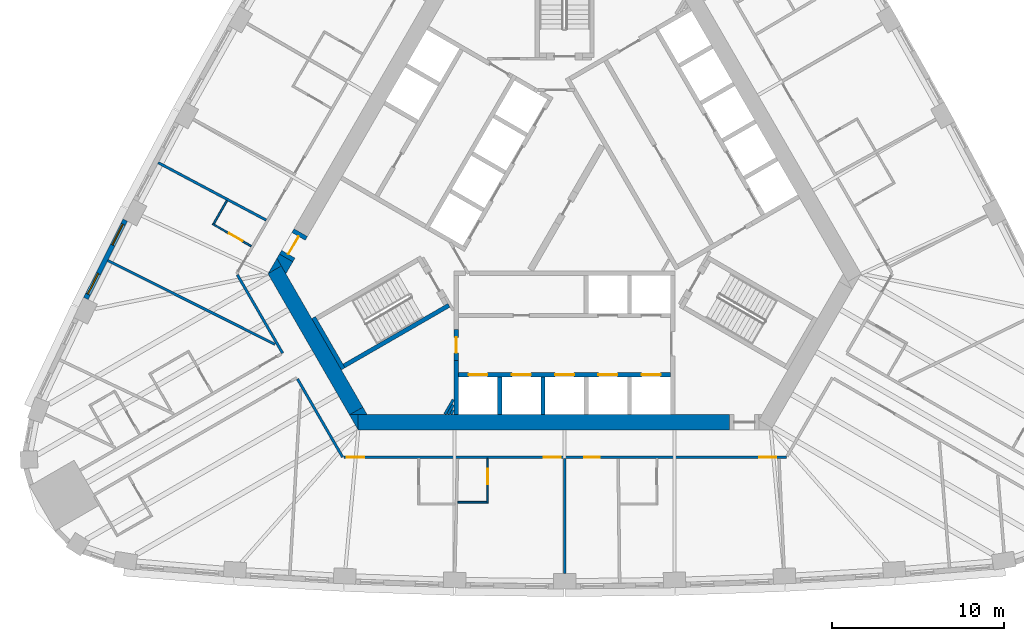
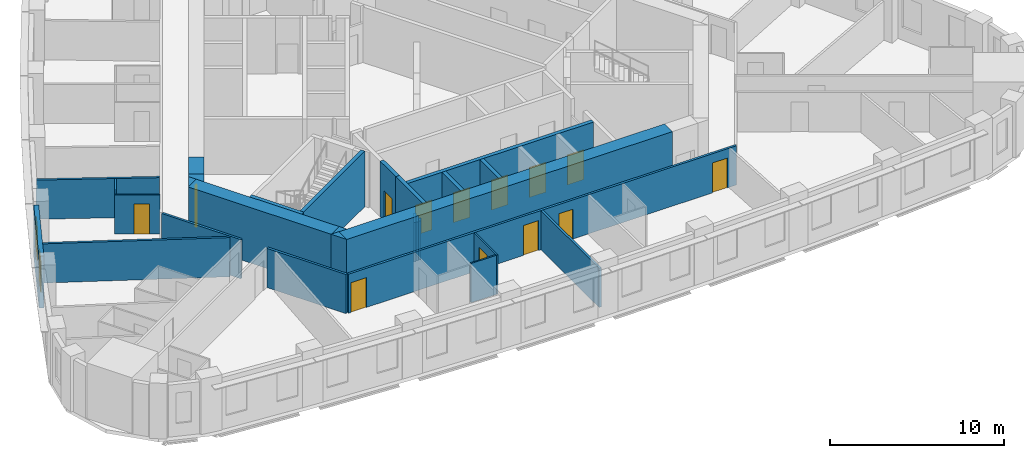
# One storey, part 4 of 12: 28 walls, 13 doors, 2 windows, 15 openings.
"""IFC4 building model written with IfcOpenShell, lengths in metres."""

import ifcopenshell
import ifcopenshell.guid

model = None  # the IFC model being written
_history = None  # IfcOwnerHistory: only IFC2X3 demands one
_inside = {}  # id of a spatial element -> (the spatial element, [elements in it])
_under = {}  # id of a project, library or spatial element -> (it, [spatial elements below it])
_declared = {}  # id of a project -> (the project, [libraries it declares])
_typed = {}  # id of a type object -> (the type object, [elements of that type])
_made_of = {}  # id of a material, layer set ... -> (it, [elements and type objects made of it])


def new_model(schema):
    """Start an empty IFC model of exactly this schema.

    Asked for "IFC4X3", IfcOpenShell would pick the latest addendum, in which some entities
    have other attributes; the version numbers below select the first issue.
    IFC2X3 requires an IfcOwnerHistory on every rooted entity: one is made here for all.
    """
    global model, _history
    if schema == "IFC4X3":
        model = ifcopenshell.file(schema_version=(4, 3, 0, 0))
    else:
        model = ifcopenshell.file(schema=schema)
    _inside.clear()
    _under.clear()
    _declared.clear()
    _typed.clear()
    _made_of.clear()
    _history = None
    if model.schema == "IFC2X3":
        org = make("IfcOrganization", Name="unknown")
        user = make(
            "IfcPersonAndOrganization",
            ThePerson=make("IfcPerson", FamilyName="unknown"),
            TheOrganization=org,
        )
        app = make(
            "IfcApplication",
            ApplicationDeveloper=org,
            Version="unknown",
            ApplicationFullName="unknown",
            ApplicationIdentifier="unknown",
        )
        _history = make(
            "IfcOwnerHistory",
            OwningUser=user,
            OwningApplication=app,
            ChangeAction="ADDED",
            CreationDate=0,
        )
    return model


def make(cls, **values):
    """One entity of the class cls with the attributes given. An attribute that is None is left unset."""
    return model.create_entity(
        cls, **{name: value for name, value in values.items() if value is not None}
    )


def rooted(cls, **values):
    """An entity with a GlobalId (a new one), such as an element, a storey or a relation."""
    return make(cls, GlobalId=ifcopenshell.guid.new(), OwnerHistory=_history, **values)


def si_unit(unit_type, name, prefix=None):
    """IfcSIUnit, for example si_unit("LENGTHUNIT", "METRE", prefix="MILLI")."""
    return make("IfcSIUnit", UnitType=unit_type, Prefix=prefix, Name=name)


def assignment(units):
    """IfcUnitAssignment: the units of a project."""
    return None if units is None else make("IfcUnitAssignment", Units=units)


def point(xyz):
    """IfcCartesianPoint."""
    return None if xyz is None else make("IfcCartesianPoint", Coordinates=xyz)


def direction(xyz):
    """IfcDirection."""
    return None if xyz is None else make("IfcDirection", DirectionRatios=xyz)


def frame(location, z_axis=None, x_axis=None):
    """IfcAxis2Placement3D, a coordinate frame: its origin and axes. An axis left out is left unset."""
    return make(
        "IfcAxis2Placement3D",
        Location=point(location),
        Axis=direction(z_axis),
        RefDirection=direction(x_axis),
    )


def frame_2d(location, x_axis=None):
    """IfcAxis2Placement2D, a coordinate frame in the plane: its origin and x axis."""
    return make(
        "IfcAxis2Placement2D", Location=point(location), RefDirection=direction(x_axis)
    )


def origin():
    """The frame at (0, 0, 0) with its axes left unset."""
    return frame((0.0, 0.0, 0.0))


def place(relative_to, where):
    """IfcLocalPlacement: puts the frame where relative to a parent placement (None: the world)."""
    return make(
        "IfcLocalPlacement", PlacementRelTo=relative_to, RelativePlacement=where
    )


def context(
    kind, dimensions, precision=None, world=None, true_north=None, identifier=None
):
    """IfcGeometricRepresentationContext, for example the 3D "Model" context."""
    return make(
        "IfcGeometricRepresentationContext",
        ContextIdentifier=identifier,
        ContextType=kind,
        CoordinateSpaceDimension=dimensions,
        Precision=precision,
        WorldCoordinateSystem=world,
        TrueNorth=true_north,
    )


def subcontext(parent, identifier, kind, view, scale=None):
    """IfcGeometricRepresentationSubContext, for example "Body" below "Model"."""
    return make(
        "IfcGeometricRepresentationSubContext",
        ContextIdentifier=identifier,
        ContextType=kind,
        ParentContext=parent,
        TargetScale=scale,
        TargetView=view,
    )


def project(units=None, contexts=None):
    """IfcProject with its units and contexts."""
    return rooted(
        "IfcProject",
        Name="project",
        RepresentationContexts=contexts,
        UnitsInContext=assignment(units),
    )


def spatial(cls, under=None, at=None, **own):
    """A site, building, storey or space (cls), placed at a placement, below another one or the project."""
    s = rooted(cls, ObjectPlacement=at, **own)
    if under is not None:
        _under.setdefault(under.id(), (under, []))[1].append(s)
    return s


def polyline(points):
    """IfcPolyline through the points."""
    return make("IfcPolyline", Points=[point(p) for p in points])


def profile(cls, at=None, kind="AREA", **sizes):
    """A parametric profile (cls). Its sizes go by their IFC names, for example OverallWidth=200.0."""
    return make(cls, ProfileType=kind, Position=at, **sizes)


def rectangle(**sizes):
    """IfcRectangleProfileDef."""
    return profile("IfcRectangleProfileDef", **sizes)


def outline(outer, holes=None, kind="AREA"):
    """IfcArbitraryClosedProfileDef: a profile drawn as a closed curve; with holes, ...WithVoids."""
    if holes is None:
        return make("IfcArbitraryClosedProfileDef", ProfileType=kind, OuterCurve=outer)
    return make(
        "IfcArbitraryProfileDefWithVoids",
        ProfileType=kind,
        OuterCurve=outer,
        InnerCurves=holes,
    )


def extrude(swept, where, along, depth):
    """IfcExtrudedAreaSolid: the profile swept, set in the frame where, extruded along a direction by depth."""
    return make(
        "IfcExtrudedAreaSolid",
        SweptArea=swept,
        Position=where,
        ExtrudedDirection=direction(along),
        Depth=depth,
    )


def shape(context_of_items, identifier, shape_type, items):
    """IfcShapeRepresentation: the items that make up one representation, for example the "Body"."""
    return make(
        "IfcShapeRepresentation",
        ContextOfItems=context_of_items,
        RepresentationIdentifier=identifier,
        RepresentationType=shape_type,
        Items=items,
    )


def material(Name=None, Category=None):
    """IfcMaterial."""
    return make("IfcMaterial", Name=Name, Category=Category)


def layer(
    of_material, thickness, ventilated=None, Name=None, Category=None, Priority=None
):
    """IfcMaterialLayer: one layer of a wall or slab, of a material (None: an air gap)."""
    return make(
        "IfcMaterialLayer",
        Material=of_material,
        LayerThickness=thickness,
        IsVentilated=ventilated,
        Name=Name,
        Category=Category,
        Priority=Priority,
    )


def layer_set(layers, Name=None):
    """IfcMaterialLayerSet."""
    return make("IfcMaterialLayerSet", MaterialLayers=layers, LayerSetName=Name)


def made_of(thing, what):
    """Note that an element or type object is made of a material, layer set ...; save() writes the relation."""
    if what is not None:
        _made_of.setdefault(what.id(), (what, []))[1].append(thing)
    return thing


def type_object(cls, material=None, **own):
    """A type object (cls), such as IfcWallType, which elements share."""
    return made_of(rooted(cls, **own), material)


def element(
    cls,
    number,
    at=None,
    inside=None,
    cuts=None,
    type_object=None,
    material=None,
    context=None,
    identifier="Body",
    shape_type=None,
    held_by="IfcProductDefinitionShape",
    body=None,
    shapes=None,
    **own,
):
    """One element of the class cls, such as IfcWall. Its Tag is "e" and its number.

    at: its placement. inside: the storey or other place that contains it. cuts: it is an
    opening in that element (IfcRelVoidsElement). A single representation is given by context,
    identifier, shape_type and body (its items); several are given by shapes. held_by: the class
    of the entity that holds the representations. save() writes the other relations.
    """
    e = rooted(cls, Tag="e%d" % number, ObjectPlacement=at, **own)
    if body is not None:
        shapes = [shape(context, identifier, shape_type, body)]
    if shapes is not None:
        e.Representation = make(held_by, Representations=shapes)
    if inside is not None:
        _inside.setdefault(inside.id(), (inside, []))[1].append(e)
    if cuts is not None:
        rooted(
            "IfcRelVoidsElement", RelatingBuildingElement=cuts, RelatedOpeningElement=e
        )
    if type_object is not None:
        _typed.setdefault(type_object.id(), (type_object, []))[1].append(e)
    return made_of(e, material)


def fill(opening, filler):
    """IfcRelFillsElement: the door or window that sits in an opening."""
    return rooted(
        "IfcRelFillsElement",
        RelatingOpeningElement=opening,
        RelatedBuildingElement=filler,
    )


def aggregate(whole, parts):
    """IfcRelAggregates: a whole, such as a stair, and the parts it consists of."""
    return rooted("IfcRelAggregates", RelatingObject=whole, RelatedObjects=parts)


def save(model, path):
    """Write the relations noted so far, then the file.

    IfcRelAggregates (storeys below a building ...), IfcRelContainedInSpatialStructure (elements
    in a storey), IfcRelDefinesByType, IfcRelAssociatesMaterial and IfcRelDeclares: one each for
    every whole, place, type object, material and project.
    """
    for whole, parts in _under.values():
        aggregate(whole, parts)
    for where, things in _inside.values():
        rooted(
            "IfcRelContainedInSpatialStructure",
            RelatedElements=things,
            RelatingStructure=where,
        )
    for kind, things in _typed.values():
        rooted("IfcRelDefinesByType", RelatedObjects=things, RelatingType=kind)
    for what, things in _made_of.values():
        rooted("IfcRelAssociatesMaterial", RelatedObjects=things, RelatingMaterial=what)
    for by, libraries in _declared.values():
        rooted("IfcRelDeclares", RelatingContext=by, RelatedDefinitions=libraries)
    model.write(path)


model = new_model("IFC4")

# Units and contexts
model_context = context("Model", 3, precision=1e-05, world=origin(), true_north=direction((0.0, 1.0)))
body_context = subcontext(model_context, "Body", "Model", "MODEL_VIEW")
ifc_project = project(units=[si_unit("LENGTHUNIT", "METRE"), si_unit("AREAUNIT", "SQUARE_METRE"), si_unit("VOLUMEUNIT", "CUBIC_METRE"), si_unit("PLANEANGLEUNIT", "RADIAN"), si_unit("MASSUNIT", "GRAM", prefix="KILO")], contexts=[model_context])

# Site, building, storey
site_placement = place(None, origin())
site = spatial("IfcSite", under=ifc_project, at=site_placement, CompositionType="ELEMENT")
building_placement = place(site_placement, origin())
building = spatial("IfcBuilding", under=site, at=building_placement, Name="Mestral Congress Tower", CompositionType="ELEMENT")
storey_placement = place(building_placement, frame((0.0, 0.0, 107.10009765625)))
storey = spatial("IfcBuildingStorey", under=building, at=storey_placement, Name="L25", CompositionType="ELEMENT", Elevation=107.10009765625)

# Walls
ifc_material_1 = material(Name="Fire-rated board partition")
ifc_layer_1 = layer(ifc_material_1, 0.14990234375)
ifc_layer_set_1 = layer_set([ifc_layer_1], Name="Fire-rated board partition")
wall_type_1 = type_object("IfcWallType", Name="Core partition 150", PredefinedType="PARTITIONING", material=ifc_layer_set_1)
wall_1_placement = place(storey_placement, frame((-6.967529296875, -12.068115234375, 0.0), z_axis=(0.0, 0.0, 1.0), x_axis=(0.49998975084, 0.866031321059, 0.0)))
element("IfcWall", 1, at=wall_1_placement, inside=storey, type_object=wall_type_1, Name="L25 core wall", PredefinedType="PARTITIONING", context=body_context, shape_type="SweptSolid", body=[
    extrude(rectangle(XDim=0.97509765625, YDim=0.14990234375, at=frame_2d((0.487548828125, 0.0))), origin(), (0.0, 0.0, 1.0), 2.75),
])
wall_2_placement = place(storey_placement, frame((-6.794189453125, -12.068115234375, 0.0), z_axis=(0.0, 0.0, 1.0), x_axis=(0.49985693963, 0.866107983974, 0.0)))
element("IfcWall", 2, at=wall_2_placement, inside=storey, type_object=wall_type_1, Name="L25 core wall", PredefinedType="PARTITIONING", context=body_context, shape_type="SweptSolid", body=[
    extrude(rectangle(XDim=0.628662109375, YDim=0.14990234375, at=frame_2d((0.314453125, 0.0))), origin(), (0.0, 0.0, 1.0), 2.75),
])
wall_3_placement = place(storey_placement, frame((-6.62109375, -12.068115234375, 0.0), z_axis=(0.0, 0.0, 1.0), x_axis=(0.500046963369, 0.865998287773, 0.0)))
element("IfcWall", 3, at=wall_3_placement, inside=storey, type_object=wall_type_1, Name="L25 core wall", PredefinedType="PARTITIONING", context=body_context, shape_type="SweptSolid", body=[
    extrude(rectangle(XDim=0.2822265625, YDim=0.14990234375, at=frame_2d((0.14111328125, 0.0))), origin(), (0.0, 0.0, 1.0), 2.75),
])
ifc_material_2 = material(Name="Concrete C60/75", Category="concrete")
ifc_layer_2 = layer(ifc_material_2, 0.89990234375)
ifc_layer_set_2 = layer_set([ifc_layer_2], Name="Concrete C60/75")
wall_type_2 = type_object("IfcWallType", Name="Core wall RC 900", PredefinedType="SOLIDWALL", material=ifc_layer_set_2)
wall_4_placement = place(storey_placement, frame((-12.0185546875, -12.550048828125, 0.0), z_axis=(0.0, 0.0, 1.0), x_axis=(1.0, 0.0, 0.0)))
element("IfcWall", 4, at=wall_4_placement, inside=storey, type_object=wall_type_2, Name="L25 core wall", PredefinedType="SOLIDWALL", context=body_context, shape_type="SweptSolid", body=[
    extrude(rectangle(XDim=21.63037109375, YDim=0.89990234375, at=frame_2d((10.815185546875, 0.0))), origin(), (0.0, 0.0, 1.0), 3.89990234375),
])
placement = place(storey_placement, origin())
element("IfcWall", 5, at=placement, inside=storey, type_object=wall_type_2, Name="L25 core wall", PredefinedType="SOLIDWALL", context=body_context, shape_type="SweptSolid", body=[
    extrude(outline(polyline([(-12.528564453125, -12.10009765625), (-12.0205078125, -12.10009765625), (-12.0205078125, -12.97998046875), (-12.528564453125, -12.10009765625)])), origin(), (0.0, 0.0, 1.0), 3.89990234375),
])
wall_6_placement = place(storey_placement, frame((-12.134033203125, -11.88330078125, 0.0), z_axis=(0.0, 0.0, 1.0), x_axis=(-0.500005339912, 0.866022320763, 0.0)))
element("IfcWall", 6, at=wall_6_placement, inside=storey, type_object=wall_type_2, Name="L25 core wall", PredefinedType="SOLIDWALL", context=body_context, shape_type="SweptSolid", body=[
    extrude(rectangle(XDim=9.48779296875, YDim=0.89990234375, at=frame_2d((4.743896484375, 0.0))), origin(), (0.0, 0.0, 1.0), 3.89990234375),
])
element("IfcWall", 7, at=placement, inside=storey, type_object=wall_type_2, Name="L25 core wall", PredefinedType="SOLIDWALL", context=body_context, shape_type="SweptSolid", body=[
    extrude(outline(polyline([(-16.4892578125, -3.43994140625), (-17.251220703125, -3.8798828125), (-16.7431640625, -3.0), (-16.4892578125, -3.43994140625)])), origin(), (0.0, 0.0, 1.0), 3.89990234375),
])
element("IfcWall", 8, at=placement, inside=storey, type_object=wall_type_2, Name="L25 core wall", PredefinedType="SOLIDWALL", context=body_context, shape_type="SweptSolid", body=[
    extrude(outline(polyline([(-11.4892578125, -12.10009765625), (-12.50537109375, -12.10009765625), (-11.743408203125, -11.66015625), (-11.4892578125, -12.10009765625)])), origin(), (0.0, 0.0, 1.0), 3.89990234375),
])
element("IfcWall", 9, at=placement, inside=storey, type_object=wall_type_2, Name="L25 core wall", PredefinedType="SOLIDWALL", context=body_context, shape_type="SweptSolid", body=[
    extrude(outline(polyline([(-15.81982421875, -3.20068359375), (-16.223388671875, -3.89990234375), (-16.7431640625, -3.0), (-16.599365234375, -2.750732421875), (-15.81982421875, -3.20068359375)])), origin(), (0.0, 0.0, 1.0), 3.89990234375),
])

# Wall, opening, door
wall_10_placement = place(storey_placement, frame((-16.20947265625, -2.9755859375, 0.0), z_axis=(0.0, 0.0, 1.0), x_axis=(0.499954529098, 0.86605165483, 0.0)))
wall_10 = element("IfcWall", 10, at=wall_10_placement, inside=storey, type_object=wall_type_2, Name="L25 door wall", PredefinedType="SOLIDWALL", context=body_context, shape_type="SweptSolid", body=[
    extrude(rectangle(XDim=1.699951171875, YDim=0.89990234375, at=frame_2d((0.85009765625, 0.0))), origin(), (0.0, 0.0, 1.0), 3.89990234375),
])
opening_1_placement = place(wall_10_placement, frame((0.25, 0.0, 0.0)))
opening_1 = element("IfcOpeningElement", 11, at=opening_1_placement, cuts=wall_10, Name="Opening XD3", PredefinedType="OPENING", context=body_context, shape_type="SweptSolid", body=[
    extrude(rectangle(XDim=1.199951171875, YDim=2.10009765625, at=frame_2d((0.60009765625, 1.050048828125))), frame((0.0, 0.4599609375, 0.0), z_axis=(0.0, -1.0, 0.0), x_axis=(1.0, 0.0, 0.0)), (0.0, 0.0, 1.0), 0.919921875),
])
ifc_material_3 = material(Name="Fire-rated steel door set", Category="steel")
door_type_1 = type_object("IfcDoorType", Name="Core door XD 1200x2100", OperationType="SINGLE_SWING_LEFT", PredefinedType="DOOR", material=ifc_material_3)
door_1_placement = place(opening_1_placement, origin())
door_1 = element("IfcDoor", 12, at=door_1_placement, inside=storey, type_object=door_type_1, Name="Door XD3", OperationType="SINGLE_SWING_LEFT", OverallHeight=2.10009765625, OverallWidth=1.199951171875, PredefinedType="DOOR", context=body_context, shape_type="SweptSolid", body=[
    extrude(rectangle(XDim=1.199951171875, YDim=2.10009765625, at=frame_2d((0.60009765625, 1.050048828125))), frame((0.0, 0.02490234375, 0.0), z_axis=(0.0, -1.0, 0.0), x_axis=(1.0, 0.0, 0.0)), (0.0, 0.0, 1.0), 0.050048828125),
])
fill(opening_1, door_1)

# Wall, openings, windows
ifc_material_4 = material(Name="Precast concrete C40/50 with limestone facing", Category="masonry")
ifc_layer_3 = layer(ifc_material_4, 0.2900390625)
ifc_layer_set_3 = layer_set([ifc_layer_3], Name="Precast concrete C40/50 with limestone facing")
wall_type_3 = type_object("IfcWallType", Name="Facade stone wall 290", PredefinedType="SOLIDWALL", material=ifc_layer_set_3)
wall_11_placement = place(storey_placement, frame((-25.576416015625, -0.77783203125, 0.0), z_axis=(0.0, 0.0, 1.0), x_axis=(-0.448534297211, -0.893765620409, 0.0)))
wall_11 = element("IfcWall", 13, at=wall_11_placement, inside=storey, type_object=wall_type_3, Name="Facade wall F2-06", PredefinedType="SOLIDWALL", context=body_context, shape_type="SweptSolid", body=[
    extrude(rectangle(XDim=5.10009765625, YDim=0.2900390625, at=frame_2d((2.550048828125, 0.0))), origin(), (0.0, 0.0, 1.0), 3.64990234375),
])
opening_2_placement = place(wall_11_placement, frame((0.2724609375, 0.0, 0.89990234375)))
opening_2 = element("IfcOpeningElement", 14, at=opening_2_placement, cuts=wall_11, Name="Opening W2", PredefinedType="OPENING", context=body_context, shape_type="SweptSolid", body=[
    extrude(rectangle(XDim=1.35009765625, YDim=2.14990234375, at=frame_2d((0.675048828125, 1.074951171875))), frame((0.0, 0.155029296875, 0.0), z_axis=(0.0, -1.0, 0.0), x_axis=(1.0, 0.0, 0.0)), (0.0, 0.0, 1.0), 0.31005859375),
])
opening_3_placement = place(wall_11_placement, frame((3.477783203125, 0.0, 0.89990234375)))
opening_3 = element("IfcOpeningElement", 15, at=opening_3_placement, cuts=wall_11, Name="Opening W2", PredefinedType="OPENING", context=body_context, shape_type="SweptSolid", body=[
    extrude(rectangle(XDim=1.35009765625, YDim=2.14990234375, at=frame_2d((0.675048828125, 1.074951171875))), frame((0.0, 0.155029296875, 0.0), z_axis=(0.0, -1.0, 0.0), x_axis=(1.0, 0.0, 0.0)), (0.0, 0.0, 1.0), 0.31005859375),
])
ifc_material_5 = material(Name="Clear low-emissivity double glazing", Category="glass")
window_type = type_object("IfcWindowType", Name="Facade punched window 1350 x 2150 sill 900", PartitioningType="DOUBLE_PANEL_VERTICAL", PredefinedType="WINDOW", material=ifc_material_5)
window_1_placement = place(opening_2_placement, origin())
window_1 = element("IfcWindow", 16, at=window_1_placement, inside=storey, type_object=window_type, Name="Window F2-06a", OverallHeight=2.14990234375, OverallWidth=1.35009765625, PartitioningType="DOUBLE_PANEL_VERTICAL", PredefinedType="WINDOW", context=body_context, shape_type="SweptSolid", body=[
    extrude(rectangle(XDim=1.35009765625, YDim=2.14990234375, at=frame_2d((0.675048828125, 1.074951171875))), frame((0.0, 0.01513671875, 0.0), z_axis=(0.0, -1.0, 0.0), x_axis=(1.0, 0.0, 0.0)), (0.0, 0.0, 1.0), 0.06005859375),
])
fill(opening_2, window_1)
window_2_placement = place(opening_3_placement, origin())
window_2 = element("IfcWindow", 17, at=window_2_placement, inside=storey, type_object=window_type, Name="Window F2-06b", OverallHeight=2.14990234375, OverallWidth=1.35009765625, PartitioningType="DOUBLE_PANEL_VERTICAL", PredefinedType="WINDOW", context=body_context, shape_type="SweptSolid", body=[
    extrude(rectangle(XDim=1.35009765625, YDim=2.14990234375, at=frame_2d((0.675048828125, 1.074951171875))), frame((0.0, 0.01513671875, 0.0), z_axis=(0.0, -1.0, 0.0), x_axis=(1.0, 0.0, 0.0)), (0.0, 0.0, 1.0), 0.06005859375),
])
fill(opening_3, window_2)

# Wall, opening, door
ifc_material_6 = material(Name="Gypsum board partition on metal studs with mineral wool", Category="composite")
ifc_layer_4 = layer(ifc_material_6, 0.10009765625)
ifc_layer_set_4 = layer_set([ifc_layer_4], Name="Gypsum board partition on metal studs with mineral wool")
wall_type_4 = type_object("IfcWallType", Name="Hotel partition wall 100", PredefinedType="PARTITIONING", material=ifc_layer_set_4)
wall_12_placement = place(storey_placement, frame((-4.480224609375, -17.25, 0.0), z_axis=(0.0, 0.0, 1.0), x_axis=(0.0, 1.0, 0.0)))
wall_12 = element("IfcWall", 18, at=wall_12_placement, inside=storey, type_object=wall_type_4, Name="L25-h-pod03a", PredefinedType="PARTITIONING", context=body_context, shape_type="SweptSolid", body=[
    extrude(rectangle(XDim=2.60009765625, YDim=0.10009765625, at=frame_2d((1.300048828125, 0.0))), origin(), (0.0, 0.0, 1.0), 2.75),
])
opening_4_placement = place(wall_12_placement, frame((1.10009765625, 0.0, 0.0)))
opening_4 = element("IfcOpeningElement", 19, at=opening_4_placement, cuts=wall_12, Name="Opening H08-006", PredefinedType="OPENING", context=body_context, shape_type="SweptSolid", body=[
    extrude(rectangle(XDim=0.89990234375, YDim=2.10009765625, at=frame_2d((0.449951171875, 1.050048828125))), frame((0.0, 0.06005859375, 0.0), z_axis=(0.0, -1.0, 0.0), x_axis=(1.0, 0.0, 0.0)), (0.0, 0.0, 1.0), 0.1201171875),
])
ifc_material_7 = material(Name="Timber veneer door leaf in timber frame", Category="wood")
door_type_2 = type_object("IfcDoorType", Name="Bathroom door 900", OperationType="SINGLE_SWING_LEFT", PredefinedType="DOOR", material=ifc_material_7)
door_2_placement = place(opening_4_placement, origin())
door_2 = element("IfcDoor", 20, at=door_2_placement, inside=storey, type_object=door_type_2, Name="L25-h-d006", OperationType="SINGLE_SWING_RIGHT", OverallHeight=2.10009765625, OverallWidth=0.89990234375, PredefinedType="DOOR", context=body_context, shape_type="SweptSolid", body=[
    extrude(rectangle(XDim=0.89990234375, YDim=2.10009765625, at=frame_2d((0.449951171875, 1.050048828125))), frame((0.0, 0.02490234375, 0.0), z_axis=(0.0, -1.0, 0.0), x_axis=(1.0, 0.0, 0.0)), (0.0, 0.0, 1.0), 0.050048828125),
])
fill(opening_4, door_2)

# Wall
wall_13_placement = place(storey_placement, frame((-4.5302734375, -17.199951171875, 0.0), z_axis=(0.0, 0.0, 1.0), x_axis=(-1.0, 0.0, 0.0)))
element("IfcWall", 21, at=wall_13_placement, inside=storey, type_object=wall_type_4, Name="L25-h-pod03b", PredefinedType="PARTITIONING", context=body_context, shape_type="SweptSolid", body=[
    extrude(rectangle(XDim=1.679931640625, YDim=0.10009765625, at=frame_2d((0.83984375, 0.0))), origin(), (0.0, 0.0, 1.0), 2.75),
])

# Wall, opening, door
wall_14_placement = place(storey_placement, frame((-20.492431640625, -0.994140625, 0.0), z_axis=(0.0, 0.0, 1.0), x_axis=(0.865997922154, -0.500047596559, 0.0)))
wall_14 = element("IfcWall", 22, at=wall_14_placement, inside=storey, type_object=wall_type_4, Name="L25-h-pod23a", PredefinedType="PARTITIONING", context=body_context, shape_type="SweptSolid", body=[
    extrude(rectangle(XDim=2.599853515625, YDim=0.10009765625, at=frame_2d((1.2998046875, 0.0))), origin(), (0.0, 0.0, 1.0), 2.75),
])
opening_5_placement = place(wall_14_placement, frame((1.10009765625, 0.0, 0.0)))
opening_5 = element("IfcOpeningElement", 23, at=opening_5_placement, cuts=wall_14, Name="Opening H08-041", PredefinedType="OPENING", context=body_context, shape_type="SweptSolid", body=[
    extrude(rectangle(XDim=0.89990234375, YDim=2.10009765625, at=frame_2d((0.449951171875, 1.050048828125))), frame((0.0, 0.06005859375, 0.0), z_axis=(0.0, -1.0, 0.0), x_axis=(1.0, 0.0, 0.0)), (0.0, 0.0, 1.0), 0.1201171875),
])
door_3_placement = place(opening_5_placement, origin())
door_3 = element("IfcDoor", 24, at=door_3_placement, inside=storey, type_object=door_type_2, Name="L25-h-d041", OperationType="SINGLE_SWING_LEFT", OverallHeight=2.10009765625, OverallWidth=0.89990234375, PredefinedType="DOOR", context=body_context, shape_type="SweptSolid", body=[
    extrude(rectangle(XDim=0.89990234375, YDim=2.10009765625, at=frame_2d((0.449951171875, 1.050048828125))), frame((0.0, 0.02490234375, 0.0), z_axis=(0.0, -1.0, 0.0), x_axis=(1.0, 0.0, 0.0)), (0.0, 0.0, 1.0), 0.050048828125),
])
fill(opening_5, door_3)

# Walls
wall_15_placement = place(storey_placement, frame((-20.42431640625, -0.975830078125, 0.0), z_axis=(0.0, 0.0, 1.0), x_axis=(0.500086174919, 0.865975644955, 0.0)))
element("IfcWall", 25, at=wall_15_placement, inside=storey, type_object=wall_type_4, Name="L25-h-pod23b", PredefinedType="PARTITIONING", context=body_context, shape_type="SweptSolid", body=[
    extrude(rectangle(XDim=1.530029296875, YDim=0.10009765625, at=frame_2d((0.76513671875, 0.0))), origin(), (0.0, 0.0, 1.0), 2.75),
])
ifc_layer_5 = layer(ifc_material_6, 0.14990234375)
ifc_layer_set_5 = layer_set([ifc_layer_5], Name="Gypsum board partition on metal studs with mineral wool")
wall_type_5 = type_object("IfcWallType", Name="Hotel partition wall 150", PredefinedType="PARTITIONING", material=ifc_layer_set_5)
wall_16_placement = place(storey_placement, frame((-16.412353515625, -8.52294921875, 0.0), z_axis=(0.0, 0.0, 1.0), x_axis=(-0.500001929737, 0.866024289647, 0.0)))
element("IfcWall", 26, at=wall_16_placement, inside=storey, type_object=wall_type_5, Name="L25-h-cw09", PredefinedType="PARTITIONING", context=body_context, shape_type="SweptSolid", body=[
    extrude(rectangle(XDim=5.26806640625, YDim=0.14990234375, at=frame_2d((2.634033203125, 0.0))), origin(), (0.0, 0.0, 1.0), 2.75),
])
wall_17_placement = place(storey_placement, frame((-12.918212890625, -14.574951171875, 0.0), z_axis=(0.0, 0.0, 1.0), x_axis=(-0.500009150678, 0.866020120573, 0.0)))
element("IfcWall", 27, at=wall_17_placement, inside=storey, type_object=wall_type_5, Name="L25-h-cw12", PredefinedType="PARTITIONING", context=body_context, shape_type="SweptSolid", body=[
    extrude(rectangle(XDim=5.25830078125, YDim=0.14990234375, at=frame_2d((2.629150390625, 0.0))), origin(), (0.0, 0.0, 1.0), 2.75),
])

# Wall, openings, doors
wall_18_placement = place(storey_placement, frame((12.918212890625, -14.574951171875, 0.0), z_axis=(0.0, 0.0, 1.0), x_axis=(-1.0, 0.0, 0.0)))
wall_18 = element("IfcWall", 28, at=wall_18_placement, inside=storey, type_object=wall_type_5, Name="L25-h-cw13", PredefinedType="PARTITIONING", context=body_context, shape_type="SweptSolid", body=[
    extrude(rectangle(XDim=25.766357421875, YDim=0.14990234375, at=frame_2d((12.88330078125, 0.0))), origin(), (0.0, 0.0, 1.0), 2.75),
])
opening_6_placement = place(wall_18_placement, frame((24.58642578125, 0.0, 0.0)))
opening_6 = element("IfcOpeningElement", 29, at=opening_6_placement, cuts=wall_18, Name="Opening H08-003", PredefinedType="OPENING", context=body_context, shape_type="SweptSolid", body=[
    extrude(rectangle(XDim=1.0, YDim=2.10009765625, at=frame_2d((0.5, 1.050048828125))), frame((0.0, 0.0849609375, 0.0), z_axis=(0.0, -1.0, 0.0), x_axis=(1.0, 0.0, 0.0)), (0.0, 0.0, 1.0), 0.169921875),
])
opening_7_placement = place(wall_18_placement, frame((13.144287109375, 0.0, 0.0)))
opening_7 = element("IfcOpeningElement", 30, at=opening_7_placement, cuts=wall_18, Name="Opening H08-005", PredefinedType="OPENING", context=body_context, shape_type="SweptSolid", body=[
    extrude(rectangle(XDim=1.0, YDim=2.10009765625, at=frame_2d((0.5, 1.050048828125))), frame((0.0, 0.0849609375, 0.0), z_axis=(0.0, -1.0, 0.0), x_axis=(1.0, 0.0, 0.0)), (0.0, 0.0, 1.0), 0.169921875),
])
opening_8_placement = place(wall_18_placement, frame((10.8740234375, 0.0, 0.0)))
opening_8 = element("IfcOpeningElement", 31, at=opening_8_placement, cuts=wall_18, Name="Opening H08-007", PredefinedType="OPENING", context=body_context, shape_type="SweptSolid", body=[
    extrude(rectangle(XDim=0.89990234375, YDim=2.10009765625, at=frame_2d((0.449951171875, 1.050048828125))), frame((0.0, 0.0849609375, 0.0), z_axis=(0.0, -1.0, 0.0), x_axis=(1.0, 0.0, 0.0)), (0.0, 0.0, 1.0), 0.169921875),
])
opening_9_placement = place(wall_18_placement, frame((0.595947265625, 0.0, 0.0)))
opening_9 = element("IfcOpeningElement", 32, at=opening_9_placement, cuts=wall_18, Name="Opening H08-008", PredefinedType="OPENING", context=body_context, shape_type="SweptSolid", body=[
    extrude(rectangle(XDim=1.0, YDim=2.10009765625, at=frame_2d((0.5, 1.050048828125))), frame((0.0, 0.0849609375, 0.0), z_axis=(0.0, -1.0, 0.0), x_axis=(1.0, 0.0, 0.0)), (0.0, 0.0, 1.0), 0.169921875),
])
ifc_material_8 = material(Name="Timber veneer door leaf in metal frame", Category="wood")
door_type_3 = type_object("IfcDoorType", Name="Guest room entrance door 1000", OperationType="SINGLE_SWING_LEFT", PredefinedType="DOOR", material=ifc_material_8)
door_4_placement = place(opening_6_placement, origin())
door_4 = element("IfcDoor", 33, at=door_4_placement, inside=storey, type_object=door_type_3, Name="L25-h-d003", OperationType="SINGLE_SWING_RIGHT", OverallHeight=2.10009765625, OverallWidth=1.0, PredefinedType="DOOR", context=body_context, shape_type="SweptSolid", body=[
    extrude(rectangle(XDim=1.0, YDim=2.10009765625, at=frame_2d((0.5, 1.050048828125))), frame((0.0, 0.02490234375, 0.0), z_axis=(0.0, -1.0, 0.0), x_axis=(1.0, 0.0, 0.0)), (0.0, 0.0, 1.0), 0.050048828125),
])
fill(opening_6, door_4)
door_5_placement = place(opening_7_placement, origin())
door_5 = element("IfcDoor", 34, at=door_5_placement, inside=storey, type_object=door_type_3, Name="L25-h-d005", OperationType="SINGLE_SWING_LEFT", OverallHeight=2.10009765625, OverallWidth=1.0, PredefinedType="DOOR", context=body_context, shape_type="SweptSolid", body=[
    extrude(rectangle(XDim=1.0, YDim=2.10009765625, at=frame_2d((0.5, 1.050048828125))), frame((0.0, 0.02490234375, 0.0), z_axis=(0.0, -1.0, 0.0), x_axis=(1.0, 0.0, 0.0)), (0.0, 0.0, 1.0), 0.050048828125),
])
fill(opening_7, door_5)
door_6_placement = place(opening_9_placement, origin())
door_6 = element("IfcDoor", 35, at=door_6_placement, inside=storey, type_object=door_type_3, Name="L25-h-d008", OperationType="SINGLE_SWING_LEFT", OverallHeight=2.10009765625, OverallWidth=1.0, PredefinedType="DOOR", context=body_context, shape_type="SweptSolid", body=[
    extrude(rectangle(XDim=1.0, YDim=2.10009765625, at=frame_2d((0.5, 1.050048828125))), frame((0.0, 0.02490234375, 0.0), z_axis=(0.0, -1.0, 0.0), x_axis=(1.0, 0.0, 0.0)), (0.0, 0.0, 1.0), 0.050048828125),
])
fill(opening_9, door_6)
door_type_4 = type_object("IfcDoorType", Name="Service room door 900", OperationType="SINGLE_SWING_LEFT", PredefinedType="DOOR", material=ifc_material_8)
door_7_placement = place(opening_8_placement, origin())
door_7 = element("IfcDoor", 36, at=door_7_placement, inside=storey, type_object=door_type_4, Name="L25-h-d007", OperationType="SINGLE_SWING_RIGHT", OverallHeight=2.10009765625, OverallWidth=0.89990234375, PredefinedType="DOOR", context=body_context, shape_type="SweptSolid", body=[
    extrude(rectangle(XDim=0.89990234375, YDim=2.10009765625, at=frame_2d((0.449951171875, 1.050048828125))), frame((0.0, 0.02490234375, 0.0), z_axis=(0.0, -1.0, 0.0), x_axis=(1.0, 0.0, 0.0)), (0.0, 0.0, 1.0), 0.050048828125),
])
fill(opening_8, door_7)

# Walls
wall_19_placement = place(storey_placement, frame((-23.65185546875, 2.56689453125, 0.0), z_axis=(0.0, 0.0, 1.0), x_axis=(0.883019237957, -0.469336793144, 0.0)))
element("IfcWall", 37, at=wall_19_placement, inside=storey, type_object=wall_type_5, Name="L25-h-pw03", PredefinedType="PARTITIONING", context=body_context, shape_type="SweptSolid", body=[
    extrude(rectangle(XDim=7.11083984375, YDim=0.14990234375, at=frame_2d((3.555419921875, 0.0))), origin(), (0.0, 0.0, 1.0), 2.75),
])
wall_20_placement = place(storey_placement, frame((-26.590576171875, -3.1220703125, 0.0), z_axis=(0.0, 0.0, 1.0), x_axis=(0.893766213273, -0.448533115847, 0.0)))
element("IfcWall", 38, at=wall_20_placement, inside=storey, type_object=wall_type_5, Name="L25-h-pw04", PredefinedType="PARTITIONING", context=body_context, shape_type="SweptSolid", body=[
    extrude(rectangle(XDim=10.875244140625, YDim=0.14990234375, at=frame_2d((5.4375, 0.0))), origin(), (0.0, 0.0, 1.0), 2.75),
])
wall_21_placement = place(storey_placement, frame((0.0, -21.343505859375, 0.0), z_axis=(0.0, 0.0, 1.0), x_axis=(0.0, 1.0, 0.0)))
element("IfcWall", 39, at=wall_21_placement, inside=storey, type_object=wall_type_5, Name="L25-h-pw13", PredefinedType="PARTITIONING", context=body_context, shape_type="SweptSolid", body=[
    extrude(rectangle(XDim=6.693603515625, YDim=0.14990234375, at=frame_2d((3.3466796875, 0.0))), origin(), (0.0, 0.0, 1.0), 2.75),
])
ifc_layer_6 = layer(ifc_material_2, 0.25)
ifc_layer_set_6 = layer_set([ifc_layer_6], Name="Concrete C60/75")
wall_type_6 = type_object("IfcWallType", Name="Shaft wall RC 250", PredefinedType="SOLIDWALL", material=ifc_layer_set_6)
wall_22_placement = place(storey_placement, frame((-3.780029296875, -12.10009765625, 0.0), z_axis=(0.0, 0.0, 1.0), x_axis=(0.0, 1.0, 0.0)))
element("IfcWall", 40, at=wall_22_placement, inside=storey, type_object=wall_type_6, Name="L25 core wall", PredefinedType="SOLIDWALL", context=body_context, shape_type="SweptSolid", body=[
    extrude(rectangle(XDim=2.199951171875, YDim=0.25, at=frame_2d((1.10009765625, 0.0))), origin(), (0.0, 0.0, 1.0), 3.89990234375),
])
wall_23_placement = place(storey_placement, frame((-6.300048828125, -12.10009765625, 0.0), z_axis=(0.0, 0.0, 1.0), x_axis=(0.0, 1.0, 0.0)))
element("IfcWall", 41, at=wall_23_placement, inside=storey, type_object=wall_type_6, Name="L25 core wall", PredefinedType="SOLIDWALL", context=body_context, shape_type="SweptSolid", body=[
    extrude(rectangle(XDim=3.1455078125, YDim=0.25, at=frame_2d((1.57275390625, 0.0))), origin(), (0.0, 0.0, 1.0), 3.89990234375),
])
wall_24_placement = place(storey_placement, frame((-1.260009765625, -12.10009765625, 0.0), z_axis=(0.0, 0.0, 1.0), x_axis=(0.0, 1.0, 0.0)))
element("IfcWall", 42, at=wall_24_placement, inside=storey, type_object=wall_type_6, Name="L25 core wall", PredefinedType="SOLIDWALL", context=body_context, shape_type="SweptSolid", body=[
    extrude(rectangle(XDim=2.199951171875, YDim=0.25, at=frame_2d((1.10009765625, 0.0))), origin(), (0.0, 0.0, 1.0), 3.89990234375),
])

# Wall, openings, doors
wall_25_placement = place(storey_placement, frame((-6.175048828125, -9.77490234375, 0.0), z_axis=(0.0, 0.0, 1.0), x_axis=(1.0, 0.0, 0.0)))
wall_25 = element("IfcWall", 43, at=wall_25_placement, inside=storey, type_object=wall_type_6, Name="L25 door wall", PredefinedType="SOLIDWALL", context=body_context, shape_type="SweptSolid", body=[
    extrude(rectangle(XDim=12.35009765625, YDim=0.25, at=frame_2d((6.175048828125, 0.0))), origin(), (0.0, 0.0, 1.0), 3.89990234375),
])
opening_10_placement = place(wall_25_placement, frame((0.5849609375, 0.0, 0.0)))
opening_10 = element("IfcOpeningElement", 44, at=opening_10_placement, cuts=wall_25, Name="Opening LD-SOA1", PredefinedType="OPENING", context=body_context, shape_type="SweptSolid", body=[
    extrude(rectangle(XDim=1.10009765625, YDim=2.10009765625, at=frame_2d((0.550048828125, 1.050048828125))), frame((0.0, 0.135009765625, 0.0), z_axis=(0.0, -1.0, 0.0), x_axis=(1.0, 0.0, 0.0)), (0.0, 0.0, 1.0), 0.27001953125),
])
opening_11_placement = place(wall_25_placement, frame((3.10498046875, 0.0, 0.0)))
opening_11 = element("IfcOpeningElement", 45, at=opening_11_placement, cuts=wall_25, Name="Opening LD-SOA2", PredefinedType="OPENING", context=body_context, shape_type="SweptSolid", body=[
    extrude(rectangle(XDim=1.10009765625, YDim=2.10009765625, at=frame_2d((0.550048828125, 1.050048828125))), frame((0.0, 0.135009765625, 0.0), z_axis=(0.0, -1.0, 0.0), x_axis=(1.0, 0.0, 0.0)), (0.0, 0.0, 1.0), 0.27001953125),
])
opening_12_placement = place(wall_25_placement, frame((5.625, 0.0, 0.0)))
opening_12 = element("IfcOpeningElement", 46, at=opening_12_placement, cuts=wall_25, Name="Opening LD-SOA3", PredefinedType="OPENING", context=body_context, shape_type="SweptSolid", body=[
    extrude(rectangle(XDim=1.10009765625, YDim=2.10009765625, at=frame_2d((0.550048828125, 1.050048828125))), frame((0.0, 0.135009765625, 0.0), z_axis=(0.0, -1.0, 0.0), x_axis=(1.0, 0.0, 0.0)), (0.0, 0.0, 1.0), 0.27001953125),
])
opening_13_placement = place(wall_25_placement, frame((8.14501953125, 0.0, 0.0)))
opening_13 = element("IfcOpeningElement", 47, at=opening_13_placement, cuts=wall_25, Name="Opening LD-SOA4", PredefinedType="OPENING", context=body_context, shape_type="SweptSolid", body=[
    extrude(rectangle(XDim=1.10009765625, YDim=2.10009765625, at=frame_2d((0.550048828125, 1.050048828125))), frame((0.0, 0.135009765625, 0.0), z_axis=(0.0, -1.0, 0.0), x_axis=(1.0, 0.0, 0.0)), (0.0, 0.0, 1.0), 0.27001953125),
])
opening_14_placement = place(wall_25_placement, frame((10.6650390625, 0.0, 0.0)))
opening_14 = element("IfcOpeningElement", 48, at=opening_14_placement, cuts=wall_25, Name="Opening LD-SOA5", PredefinedType="OPENING", context=body_context, shape_type="SweptSolid", body=[
    extrude(rectangle(XDim=1.10009765625, YDim=2.10009765625, at=frame_2d((0.550048828125, 1.050048828125))), frame((0.0, 0.135009765625, 0.0), z_axis=(0.0, -1.0, 0.0), x_axis=(1.0, 0.0, 0.0)), (0.0, 0.0, 1.0), 0.27001953125),
])
door_type_5 = type_object("IfcDoorType", Name="Core door LD 1100x2100", OperationType="DOUBLE_DOOR_SLIDING", PredefinedType="DOOR", material=ifc_material_3)
door_8_placement = place(opening_10_placement, origin())
door_8 = element("IfcDoor", 49, at=door_8_placement, inside=storey, type_object=door_type_5, Name="Door LD-SOA1", OperationType="DOUBLE_DOOR_SLIDING", OverallHeight=2.10009765625, OverallWidth=1.10009765625, PredefinedType="DOOR", context=body_context, shape_type="SweptSolid", body=[
    extrude(rectangle(XDim=1.10009765625, YDim=2.10009765625, at=frame_2d((0.550048828125, 1.050048828125))), frame((0.0, 0.02490234375, 0.0), z_axis=(0.0, -1.0, 0.0), x_axis=(1.0, 0.0, 0.0)), (0.0, 0.0, 1.0), 0.050048828125),
])
fill(opening_10, door_8)
door_9_placement = place(opening_11_placement, origin())
door_9 = element("IfcDoor", 50, at=door_9_placement, inside=storey, type_object=door_type_5, Name="Door LD-SOA2", OperationType="DOUBLE_DOOR_SLIDING", OverallHeight=2.10009765625, OverallWidth=1.10009765625, PredefinedType="DOOR", context=body_context, shape_type="SweptSolid", body=[
    extrude(rectangle(XDim=1.10009765625, YDim=2.10009765625, at=frame_2d((0.550048828125, 1.050048828125))), frame((0.0, 0.02490234375, 0.0), z_axis=(0.0, -1.0, 0.0), x_axis=(1.0, 0.0, 0.0)), (0.0, 0.0, 1.0), 0.050048828125),
])
fill(opening_11, door_9)
door_10_placement = place(opening_12_placement, origin())
door_10 = element("IfcDoor", 51, at=door_10_placement, inside=storey, type_object=door_type_5, Name="Door LD-SOA3", OperationType="DOUBLE_DOOR_SLIDING", OverallHeight=2.10009765625, OverallWidth=1.10009765625, PredefinedType="DOOR", context=body_context, shape_type="SweptSolid", body=[
    extrude(rectangle(XDim=1.10009765625, YDim=2.10009765625, at=frame_2d((0.550048828125, 1.050048828125))), frame((0.0, 0.02490234375, 0.0), z_axis=(0.0, -1.0, 0.0), x_axis=(1.0, 0.0, 0.0)), (0.0, 0.0, 1.0), 0.050048828125),
])
fill(opening_12, door_10)
door_11_placement = place(opening_13_placement, origin())
door_11 = element("IfcDoor", 52, at=door_11_placement, inside=storey, type_object=door_type_5, Name="Door LD-SOA4", OperationType="DOUBLE_DOOR_SLIDING", OverallHeight=2.10009765625, OverallWidth=1.10009765625, PredefinedType="DOOR", context=body_context, shape_type="SweptSolid", body=[
    extrude(rectangle(XDim=1.10009765625, YDim=2.10009765625, at=frame_2d((0.550048828125, 1.050048828125))), frame((0.0, 0.02490234375, 0.0), z_axis=(0.0, -1.0, 0.0), x_axis=(1.0, 0.0, 0.0)), (0.0, 0.0, 1.0), 0.050048828125),
])
fill(opening_13, door_11)
door_12_placement = place(opening_14_placement, origin())
door_12 = element("IfcDoor", 53, at=door_12_placement, inside=storey, type_object=door_type_5, Name="Door LD-SOA5", OperationType="DOUBLE_DOOR_SLIDING", OverallHeight=2.10009765625, OverallWidth=1.10009765625, PredefinedType="DOOR", context=body_context, shape_type="SweptSolid", body=[
    extrude(rectangle(XDim=1.10009765625, YDim=2.10009765625, at=frame_2d((0.550048828125, 1.050048828125))), frame((0.0, 0.02490234375, 0.0), z_axis=(0.0, -1.0, 0.0), x_axis=(1.0, 0.0, 0.0)), (0.0, 0.0, 1.0), 0.050048828125),
])
fill(opening_14, door_12)

# Wall, opening, door
wall_26_placement = place(storey_placement, frame((-6.300048828125, -7.154296875, 0.0), z_axis=(0.0, 0.0, 1.0), x_axis=(0.0, -1.0, 0.0)))
wall_26 = element("IfcWall", 54, at=wall_26_placement, inside=storey, type_object=wall_type_6, Name="L25 door wall", PredefinedType="SOLIDWALL", context=body_context, shape_type="SweptSolid", body=[
    extrude(rectangle(XDim=1.800048828125, YDim=0.25, at=frame_2d((0.89990234375, 0.0))), origin(), (0.0, 0.0, 1.0), 3.89990234375),
])
opening_15_placement = place(wall_26_placement, frame((0.449951171875, 0.0, 0.0)))
opening_15 = element("IfcOpeningElement", 55, at=opening_15_placement, cuts=wall_26, Name="Opening TD3", PredefinedType="OPENING", context=body_context, shape_type="SweptSolid", body=[
    extrude(rectangle(XDim=0.89990234375, YDim=2.10009765625, at=frame_2d((0.449951171875, 1.050048828125))), frame((0.0, 0.135009765625, 0.0), z_axis=(0.0, -1.0, 0.0), x_axis=(1.0, 0.0, 0.0)), (0.0, 0.0, 1.0), 0.27001953125),
])
door_type_6 = type_object("IfcDoorType", Name="Core door SR 900x2100", OperationType="SINGLE_SWING_LEFT", PredefinedType="DOOR", material=ifc_material_3)
door_13_placement = place(opening_15_placement, origin())
door_13 = element("IfcDoor", 56, at=door_13_placement, inside=storey, type_object=door_type_6, Name="Door TD3", OperationType="SINGLE_SWING_LEFT", OverallHeight=2.10009765625, OverallWidth=0.89990234375, PredefinedType="DOOR", context=body_context, shape_type="SweptSolid", body=[
    extrude(rectangle(XDim=0.89990234375, YDim=2.10009765625, at=frame_2d((0.449951171875, 1.050048828125))), frame((0.0, 0.02490234375, 0.0), z_axis=(0.0, -1.0, 0.0), x_axis=(1.0, 0.0, 0.0)), (0.0, 0.0, 1.0), 0.050048828125),
])
fill(opening_15, door_13)

# Walls
ifc_layer_7 = layer(ifc_material_2, 0.25)
ifc_layer_set_7 = layer_set([ifc_layer_7], Name="Concrete C60/75")
wall_type_7 = type_object("IfcWallType", Name="Stair wall RC 250", PredefinedType="SOLIDWALL", material=ifc_layer_set_7)
wall_27_placement = place(storey_placement, frame((-12.885498046875, -9.431396484375, 0.0), z_axis=(0.0, 0.0, 1.0), x_axis=(-0.500020560727, 0.866013532718, 0.0)))
element("IfcWall", 57, at=wall_27_placement, inside=storey, type_object=wall_type_7, Name="L25 core wall", PredefinedType="SOLIDWALL", context=body_context, shape_type="SweptSolid", body=[
    extrude(rectangle(XDim=3.449951171875, YDim=0.25, at=frame_2d((1.72509765625, 0.0))), origin(), (0.0, 0.0, 1.0), 3.89990234375),
])
wall_28_placement = place(storey_placement, frame((-12.83984375, -9.2607421875, 0.0), z_axis=(0.0, 0.0, 1.0), x_axis=(0.866016039709, 0.500016218704, 0.0)))
element("IfcWall", 58, at=wall_28_placement, inside=storey, type_object=wall_type_7, Name="L25 core wall", PredefinedType="SOLIDWALL", context=body_context, shape_type="SweptSolid", body=[
    extrude(rectangle(XDim=7.050048828125, YDim=0.25, at=frame_2d((3.52490234375, 0.0))), origin(), (0.0, 0.0, 1.0), 3.89990234375),
])

save(model, "model.ifc")
